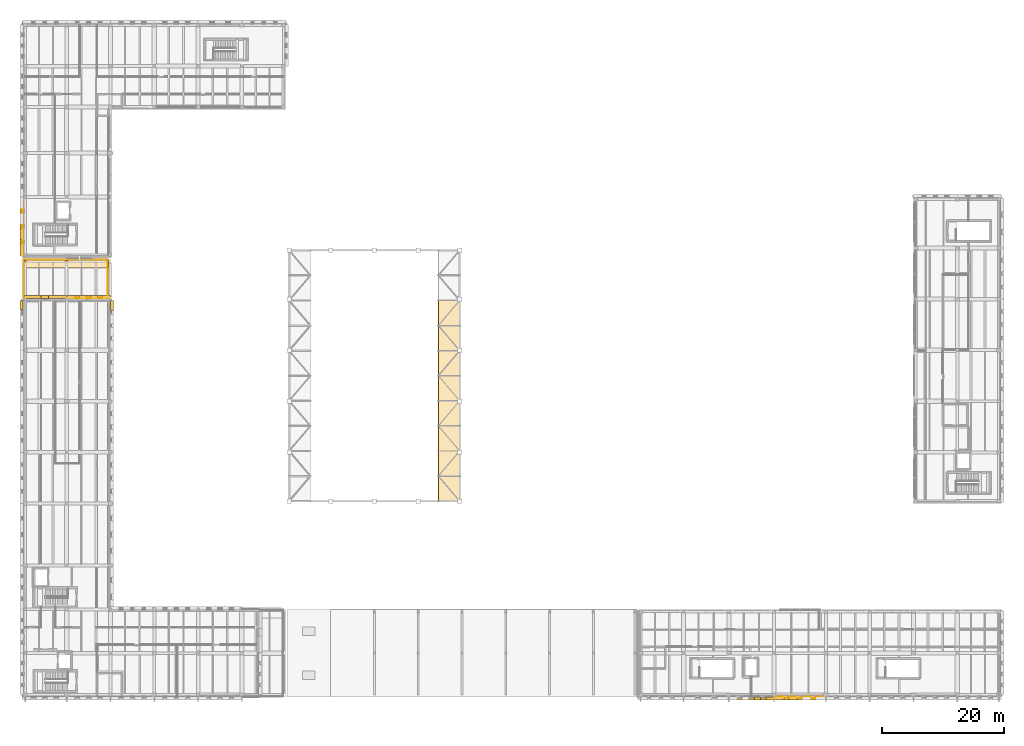
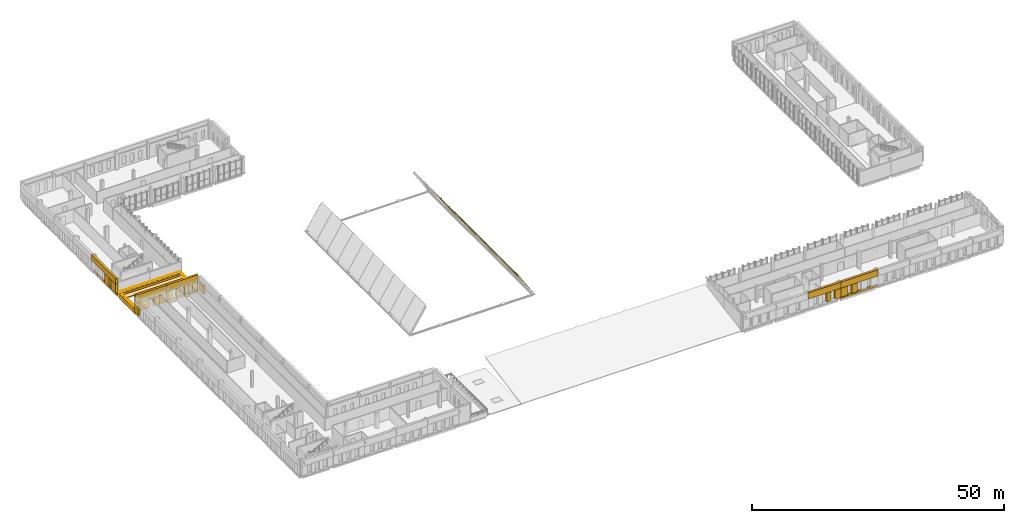
# One storey, part 51 of 56: 33 coverings, 1 railing.
"""IFC4 building model written with IfcOpenShell, lengths in metres."""

from ifc_helpers import new_model, si_unit, direction, frame, origin, origin_2d, place, context, subcontext, project, spatial, polyline, circle, outline, extrude, material, layer, layer_set, type_object, element, save


model = new_model("IFC4")

# Units and contexts
model_context = context("Model", 3, precision=1e-05, world=origin(), true_north=direction((0.0, 1.0)))
body_context = subcontext(model_context, "Body", "Model", "MODEL_VIEW")
ifc_project = project(units=[si_unit("LENGTHUNIT", "METRE"), si_unit("AREAUNIT", "SQUARE_METRE"), si_unit("VOLUMEUNIT", "CUBIC_METRE"), si_unit("PLANEANGLEUNIT", "RADIAN"), si_unit("MASSUNIT", "GRAM", prefix="KILO")], contexts=[model_context])

# Site, building, storey
site_placement = place(None, origin())
site = spatial("IfcSite", under=ifc_project, at=site_placement, CompositionType="ELEMENT")
building_placement = place(site_placement, origin())
building = spatial("IfcBuilding", under=site, at=building_placement, Name="Vardoun Plaza Health Centre", CompositionType="ELEMENT")
storey_placement = place(building_placement, frame((0.0, 0.0, 8.699951171875)))
storey = spatial("IfcBuildingStorey", under=building, at=storey_placement, Name="L02", CompositionType="ELEMENT", Elevation=8.699951171875)

# Coverings
ifc_material_1 = material(Name="Pale Limestone Concrete C35/45", Category="masonry")
ifc_layer_1 = layer(ifc_material_1, 0.080078125)
ifc_layer_set_1 = layer_set([ifc_layer_1], Name="Pale Limestone Concrete C35/45")
covering_type_1 = type_object("IfcCoveringType", Name="CL-EXT1", PredefinedType="CLADDING", material=ifc_layer_set_1)
covering_1_placement = place(storey_placement, frame((0.0, 0.0, 2.2099609375)))
element("IfcCovering", 1, at=covering_1_placement, inside=storey, type_object=covering_type_1, Name="V2 L02 Sculpted Concrete Eyebrow Hood 169", PredefinedType="CLADDING", context=body_context, shape_type="SweptSolid", body=[
    extrude(outline(polyline([(4.52001953125, 70.0), (11.679931640625, 70.0), (11.679931640625, 70.47998046875), (4.52001953125, 70.47998046875), (4.52001953125, 70.0)])), origin(), (0.0, 0.0, 1.0), 1.989990234375),
])
covering_2_placement = place(storey_placement, frame((0.0, 0.0, 0.18994140625)))
element("IfcCovering", 2, at=covering_2_placement, inside=storey, type_object=covering_type_1, Name="V2 L02 Deep-Punched Slot Concrete Reveal Pier 170", PredefinedType="CLADDING", context=body_context, shape_type="SweptSolid", body=[
    extrude(outline(polyline([(4.52001953125, 70.0), (7.5048828125, 70.0), (7.5048828125, 70.47998046875), (4.52001953125, 70.47998046875), (4.52001953125, 70.0)])), origin(), (0.0, 0.0, 1.0), 2.02001953125),
])
covering_3_placement = place(storey_placement, frame((0.0, 0.0, 0.18994140625)))
element("IfcCovering", 3, at=covering_3_placement, inside=storey, type_object=covering_type_1, Name="V2 L02 Deep-Punched Slot Concrete Reveal Pier 171", PredefinedType="CLADDING", context=body_context, shape_type="SweptSolid", body=[
    extrude(outline(polyline([(8.695068359375, 70.0), (11.679931640625, 70.0), (11.679931640625, 70.47998046875), (8.695068359375, 70.47998046875), (8.695068359375, 70.0)])), origin(), (0.0, 0.0, 1.0), 2.02001953125),
])
covering_4_placement = place(storey_placement, origin())
element("IfcCovering", 4, at=covering_4_placement, inside=storey, type_object=covering_type_1, Name="V2 L02 Pale Concrete Sill Band 172", PredefinedType="CLADDING", context=body_context, shape_type="SweptSolid", body=[
    extrude(outline(polyline([(11.719970703125, 70.0), (18.8798828125, 70.0), (18.8798828125, 70.139892578125), (11.719970703125, 70.139892578125), (11.719970703125, 70.0)])), origin(), (0.0, 0.0, 1.0), 0.550048828125),
])
covering_5_placement = place(storey_placement, frame((0.0, 0.0, 2.590087890625)))
element("IfcCovering", 5, at=covering_5_placement, inside=storey, type_object=covering_type_1, Name="V2 L02 Sculpted Concrete Eyebrow Hood 173", PredefinedType="CLADDING", context=body_context, shape_type="SweptSolid", body=[
    extrude(outline(polyline([(11.719970703125, 70.0), (18.8798828125, 70.0), (18.8798828125, 70.47998046875), (11.719970703125, 70.47998046875), (11.719970703125, 70.0)])), origin(), (0.0, 0.0, 1.0), 1.60986328125),
])
covering_6_placement = place(storey_placement, frame((0.0, 0.0, 0.550048828125)))
element("IfcCovering", 6, at=covering_6_placement, inside=storey, type_object=covering_type_1, Name="V2 L02 Deep-Punched Slot Concrete Reveal Pier 174", PredefinedType="CLADDING", context=body_context, shape_type="SweptSolid", body=[
    extrude(outline(polyline([(11.719970703125, 70.0), (13.0380859375, 70.0), (13.0380859375, 70.47998046875), (11.719970703125, 70.47998046875), (11.719970703125, 70.0)])), origin(), (0.0, 0.0, 1.0), 2.0400390625),
])
covering_7_placement = place(storey_placement, frame((0.0, 0.0, 0.550048828125)))
element("IfcCovering", 7, at=covering_7_placement, inside=storey, type_object=covering_type_1, Name="V2 L02 Deep-Punched Slot Concrete Reveal Pier 175", PredefinedType="CLADDING", context=body_context, shape_type="SweptSolid", body=[
    extrude(outline(polyline([(13.818115234375, 70.0), (14.909912109375, 70.0), (14.909912109375, 70.47998046875), (13.818115234375, 70.47998046875), (13.818115234375, 70.0)])), origin(), (0.0, 0.0, 1.0), 2.0400390625),
])
covering_8_placement = place(storey_placement, frame((0.0, 0.0, 0.550048828125)))
element("IfcCovering", 8, at=covering_8_placement, inside=storey, type_object=covering_type_1, Name="V2 L02 Deep-Punched Slot Concrete Reveal Pier 176", PredefinedType="CLADDING", context=body_context, shape_type="SweptSolid", body=[
    extrude(outline(polyline([(15.68994140625, 70.0), (16.781982421875, 70.0), (16.781982421875, 70.47998046875), (15.68994140625, 70.47998046875), (15.68994140625, 70.0)])), origin(), (0.0, 0.0, 1.0), 2.0400390625),
])
covering_9_placement = place(storey_placement, frame((0.0, 0.0, 0.550048828125)))
element("IfcCovering", 9, at=covering_9_placement, inside=storey, type_object=covering_type_1, Name="V2 L02 Deep-Punched Slot Concrete Reveal Pier 177", PredefinedType="CLADDING", context=body_context, shape_type="SweptSolid", body=[
    extrude(outline(polyline([(17.56201171875, 70.0), (18.8798828125, 70.0), (18.8798828125, 70.47998046875), (17.56201171875, 70.47998046875), (17.56201171875, 70.0)])), origin(), (0.0, 0.0, 1.0), 2.0400390625),
])
covering_10_placement = place(storey_placement, frame((0.0, 0.0, 0.550048828125)))
element("IfcCovering", 10, at=covering_10_placement, inside=storey, type_object=covering_type_1, Name="V2 L02 Deep-Punched Slot Concrete Reveal Pier 180", PredefinedType="CLADDING", context=body_context, shape_type="SweptSolid", body=[
    extrude(outline(polyline([(18.89990234375, 69.635009765625), (18.89990234375, 68.042724609375), (19.3798828125, 68.042724609375), (19.3798828125, 69.635009765625), (18.89990234375, 69.635009765625)])), origin(), (0.0, 0.0, 1.0), 2.139892578125),
])
covering_11_placement = place(storey_placement, frame((0.0, 0.0, 0.550048828125)))
element("IfcCovering", 11, at=covering_11_placement, inside=storey, type_object=covering_type_1, Name="V2 L02 Deep-Punched Slot Concrete Reveal Pier 319", PredefinedType="CLADDING", context=body_context, shape_type="SweptSolid", body=[
    extrude(outline(polyline([(4.5, 68.15771484375), (4.5, 69.635009765625), (4.02001953125, 69.635009765625), (4.02001953125, 68.15771484375), (4.5, 68.15771484375)])), origin(), (0.0, 0.0, 1.0), 2.1201171875),
])
covering_12_placement = place(storey_placement, origin())
element("IfcCovering", 12, at=covering_12_placement, inside=storey, type_object=covering_type_1, Name="V3 L02 Pale Concrete Sill Band 879", PredefinedType="CLADDING", context=body_context, shape_type="SweptSolid", body=[
    extrude(outline(polyline([(4.5, 77.014892578125), (4.5, 86.679931640625), (4.360107421875, 86.679931640625), (4.360107421875, 77.014892578125), (4.5, 77.014892578125)])), origin(), (0.0, 0.0, 1.0), 0.550048828125),
])
covering_13_placement = place(storey_placement, frame((0.0, 0.0, 2.800048828125)))
element("IfcCovering", 13, at=covering_13_placement, inside=storey, type_object=covering_type_1, Name="V3 L02 Sculpted Concrete Eyebrow Hood 880", PredefinedType="CLADDING", context=body_context, shape_type="SweptSolid", body=[
    extrude(outline(polyline([(4.5, 77.014892578125), (4.5, 86.679931640625), (4.02001953125, 86.679931640625), (4.02001953125, 77.014892578125), (4.5, 77.014892578125)])), origin(), (0.0, 0.0, 1.0), 1.39990234375),
])
covering_14_placement = place(storey_placement, frame((0.0, 0.0, 0.550048828125)))
element("IfcCovering", 14, at=covering_14_placement, inside=storey, type_object=covering_type_1, Name="V3 L02 Deep-Punched Slot Concrete Reveal Pier 881", PredefinedType="CLADDING", context=body_context, shape_type="SweptSolid", body=[
    extrude(outline(polyline([(4.5, 77.014892578125), (4.5, 78.93408203125), (4.02001953125, 78.93408203125), (4.02001953125, 77.014892578125), (4.5, 77.014892578125)])), origin(), (0.0, 0.0, 1.0), 2.25),
])
covering_15_placement = place(storey_placement, frame((0.0, 0.0, 0.550048828125)))
element("IfcCovering", 15, at=covering_15_placement, inside=storey, type_object=covering_type_1, Name="V3 L02 Deep-Punched Slot Concrete Reveal Pier 882", PredefinedType="CLADDING", context=body_context, shape_type="SweptSolid", body=[
    extrude(outline(polyline([(4.5, 79.714111328125), (4.5, 81.45751953125), (4.02001953125, 81.45751953125), (4.02001953125, 79.714111328125), (4.5, 79.714111328125)])), origin(), (0.0, 0.0, 1.0), 2.25),
])
covering_16_placement = place(storey_placement, origin())
element("IfcCovering", 16, at=covering_16_placement, inside=storey, type_object=covering_type_1, Name="V5 L02 Pale Concrete Sill Band 1218", PredefinedType="CLADDING", context=body_context, shape_type="SweptSolid", body=[
    extrude(outline(polyline([(136.47998046875, 4.5), (128.0, 4.5), (128.0, 4.360107421875), (136.47998046875, 4.360107421875), (136.47998046875, 4.5)])), origin(), (0.0, 0.0, 1.0), 0.550048828125),
])
covering_17_placement = place(storey_placement, frame((0.0, 0.0, 2.75)))
element("IfcCovering", 17, at=covering_17_placement, inside=storey, type_object=covering_type_1, Name="V5 L02 Sculpted Concrete Eyebrow Hood 1219", PredefinedType="CLADDING", context=body_context, shape_type="SweptSolid", body=[
    extrude(outline(polyline([(136.47998046875, 4.5), (128.0, 4.5), (128.0, 4.02001953125), (136.47998046875, 4.02001953125), (136.47998046875, 4.5)])), origin(), (0.0, 0.0, 1.0), 1.449951171875),
])
covering_18_placement = place(storey_placement, frame((0.0, 0.0, 0.550048828125)))
element("IfcCovering", 18, at=covering_18_placement, inside=storey, type_object=covering_type_1, Name="V5 L02 Deep-Punched Slot Concrete Reveal Pier 1222", PredefinedType="CLADDING", context=body_context, shape_type="SweptSolid", body=[
    extrude(outline(polyline([(131.7900390625, 4.5), (130.474853515625, 4.5), (130.474853515625, 4.02001953125), (131.7900390625, 4.02001953125), (131.7900390625, 4.5)])), origin(), (0.0, 0.0, 1.0), 2.199951171875),
])
covering_19_placement = place(storey_placement, frame((0.0, 0.0, 0.550048828125)))
element("IfcCovering", 19, at=covering_19_placement, inside=storey, type_object=covering_type_1, Name="V5 L02 Deep-Punched Slot Concrete Reveal Pier 1223", PredefinedType="CLADDING", context=body_context, shape_type="SweptSolid", body=[
    extrude(outline(polyline([(129.57470703125, 4.5), (128.0, 4.5), (128.0, 4.02001953125), (129.57470703125, 4.02001953125), (129.57470703125, 4.5)])), origin(), (0.0, 0.0, 1.0), 2.199951171875),
])
covering_20_placement = place(storey_placement, frame((0.0, 0.0, 2.72998046875)))
element("IfcCovering", 20, at=covering_20_placement, inside=storey, type_object=covering_type_1, Name="V5 L02 Sculpted Concrete Eyebrow Hood 1225", PredefinedType="CLADDING", context=body_context, shape_type="SweptSolid", body=[
    extrude(outline(polyline([(127.9599609375, 4.5), (120.56005859375, 4.5), (120.56005859375, 4.02001953125), (127.9599609375, 4.02001953125), (127.9599609375, 4.5)])), origin(), (0.0, 0.0, 1.0), 1.469970703125),
])
covering_21_placement = place(storey_placement, frame((0.0, 0.0, 0.550048828125)))
element("IfcCovering", 21, at=covering_21_placement, inside=storey, type_object=covering_type_1, Name="V5 L02 Deep-Punched Slot Concrete Reveal Pier 1226", PredefinedType="CLADDING", context=body_context, shape_type="SweptSolid", body=[
    extrude(outline(polyline([(127.9599609375, 4.5), (126.664306640625, 4.5), (126.664306640625, 4.02001953125), (127.9599609375, 4.02001953125), (127.9599609375, 4.5)])), origin(), (0.0, 0.0, 1.0), 2.179931640625),
])
covering_22_placement = place(storey_placement, frame((0.0, 0.0, 0.550048828125)))
element("IfcCovering", 22, at=covering_22_placement, inside=storey, type_object=covering_type_1, Name="V5 L02 Deep-Punched Slot Concrete Reveal Pier 1227", PredefinedType="CLADDING", context=body_context, shape_type="SweptSolid", body=[
    extrude(outline(polyline([(125.724365234375, 4.5), (124.72998046875, 4.5), (124.72998046875, 4.02001953125), (125.724365234375, 4.02001953125), (125.724365234375, 4.5)])), origin(), (0.0, 0.0, 1.0), 2.179931640625),
])
covering_23_placement = place(storey_placement, frame((0.0, 0.0, -0.280029296875)))
element("IfcCovering", 23, at=covering_23_placement, inside=storey, type_object=covering_type_1, Name="V2 L02 Sculpted White Terrace Planter Ribbon W1", PredefinedType="CLADDING", context=body_context, shape_type="SweptSolid", body=[
    extrude(outline(polyline([(4.419921875, 70.050048828125), (4.780029296875, 70.050048828125), (4.780029296875, 76.449951171875), (4.419921875, 76.449951171875), (4.419921875, 70.050048828125)])), origin(), (0.0, 0.0, 1.0), 1.090087890625),
])
covering_24_placement = place(storey_placement, frame((0.0, 0.0, -0.280029296875)))
element("IfcCovering", 24, at=covering_24_placement, inside=storey, type_object=covering_type_1, Name="V2 L02 Sculpted White Terrace Planter Ribbon N1", PredefinedType="CLADDING", context=body_context, shape_type="SweptSolid", body=[
    extrude(outline(polyline([(4.780029296875, 76.179931640625), (18.39990234375, 76.179931640625), (18.39990234375, 76.56005859375), (4.780029296875, 76.56005859375), (4.780029296875, 76.179931640625)])), origin(), (0.0, 0.0, 1.0), 1.090087890625),
])
ifc_material_2 = material(Name="Planted Mediterranean Garden Substrate", Category="wood")
ifc_layer_2 = layer(ifc_material_2, 0.139892578125)
ifc_layer_set_2 = layer_set([ifc_layer_2], Name="Planted Mediterranean Garden Substrate")
covering_type_2 = type_object("IfcCoveringType", Name="CV-G1", PredefinedType="ROOFING", material=ifc_layer_set_2)
covering_25_placement = place(storey_placement, frame((0.0, 0.0, 0.18994140625)))
element("IfcCovering", 25, at=covering_25_placement, inside=storey, type_object=covering_type_2, Name="V2 L02 Garden Planter Bed 1", PredefinedType="ROOFING", context=body_context, shape_type="SweptSolid", body=[
    extrude(outline(polyline([(4.75, 75.050048828125), (18.64990234375, 75.050048828125), (18.64990234375, 76.25), (4.75, 76.25), (4.75, 75.050048828125)])), origin(), (0.0, 0.0, 1.0), 0.14013671875),
])
ifc_material_3 = material(Name="EPDM Insulated Roof Membrane", Category="concrete")
ifc_layer_3 = layer(ifc_material_3, 0.044921875)
ifc_layer_set_3 = layer_set([ifc_layer_3], Name="EPDM Insulated Roof Membrane")
covering_type_3 = type_object("IfcCoveringType", Name="CV-M1", PredefinedType="ROOFING", material=ifc_layer_set_3)
for number, where, z_axis, x_axis, name in (
    (26, (72.794921875, 36.679931640625, 5.592529296875), (0.843855335008, 0.0, 0.536570753563), (0.536570753563, 0.0, -0.843855335008), "Gridshell Vault Cladding 1.8"),
    (27, (72.794921875, 40.803955078125, 5.592529296875), (0.843855335008, 0.0, 0.536570753563), (0.536570753563, 0.0, -0.843855335008), "Gridshell Vault Cladding 2.8"),
    (28, (72.794921875, 44.927978515625, 5.592529296875), (0.843855335008, 0.0, 0.536570753563), (0.536570753563, 0.0, -0.843855335008), "Gridshell Vault Cladding 3.8"),
    (29, (72.794921875, 49.052001953125, 5.592529296875), (0.843855335008, 0.0, 0.536570753563), (0.536570753563, 0.0, -0.843855335008), "Gridshell Vault Cladding 4.8"),
    (30, (72.794921875, 53.176025390625, 5.592529296875), (0.843855335008, 0.0, 0.536570753563), (0.536570753563, 0.0, -0.843855335008), "Gridshell Vault Cladding 5.8"),
    (31, (72.794921875, 57.300048828125, 5.592529296875), (0.843855335008, 0.0, 0.536570753563), (0.536570753563, 0.0, -0.843855335008), "Gridshell Vault Cladding 6.8"),
    (32, (72.794921875, 61.424072265625, 5.592529296875), (0.843855335008, 0.0, 0.536570753563), (0.536570753563, 0.0, -0.843855335008), "Gridshell Vault Cladding 7.8"),
    (33, (72.794921875, 65.548095703125, 5.592529296875), (0.843855335008, 0.0, 0.536570753563), (0.536570753563, 0.0, -0.843855335008), "Gridshell Vault Cladding 8.8"),
):
    element("IfcCovering", number, at=place(storey_placement, frame(where, z_axis=z_axis, x_axis=x_axis)), inside=storey, type_object=covering_type_3, Name=name, PredefinedType="ROOFING", context=body_context, shape_type="SweptSolid", body=[
        extrude(outline(polyline([(0.0, 0.0), (6.532459940928027, 0.0), (6.532459940928027, 4.1240234375), (0.0, 4.1240234375), (0.0, 0.0)])), origin(), (0.0, 0.0, -1.0), 0.044921875),
    ])

# Railing
ifc_material_4 = material(Name="Galvanised Steel S275JR and Laminated Glass", Category="steel")
railing_type = type_object("IfcRailingType", Name="GR-01", PredefinedType="BALUSTRADE", material=ifc_material_4)
railing_placement = place(storey_placement, frame((4.6201171875, 70.1201171875, 0.18994140625)))
element("IfcRailing", 34, at=railing_placement, inside=storey, type_object=railing_type, Name="V2 L02 Terrace Balustrade 1", PredefinedType="BALUSTRADE", context=body_context, shape_type="SweptSolid", body=[
    extrude(circle(Radius=0.02392578125, at=origin_2d()), frame((0.0, 0.0, 1.1259765625), z_axis=(0.0, 1.0, 0.0), x_axis=(-1.0, 0.0, 0.0)), (0.0, 0.0, 1.0), 6.259765625),
    extrude(circle(Radius=0.02392578125, at=origin_2d()), frame((0.0, 6.259765625, 1.1259765625), z_axis=(1.0, 0.0, 0.0), x_axis=(0.0, 1.0, 0.0)), (0.0, 0.0, 1.0), 13.829833984375),
    extrude(circle(Radius=0.02392578125, at=origin_2d()), frame((13.829833984375, 6.259765625, 1.1259765625), z_axis=(0.0, -1.0, 0.0), x_axis=(1.0, 0.0, 0.0)), (0.0, 0.0, 1.0), 6.259765625),
    extrude(circle(Radius=0.02099609375, at=origin_2d()), origin(), (0.0, 0.0, 1.0), 1.101806640625),
    extrude(circle(Radius=0.02099609375, at=origin_2d()), frame((0.0, 1.043212890625, 0.0)), (0.0, 0.0, 1.0), 1.101806640625),
    extrude(circle(Radius=0.02099609375, at=origin_2d()), frame((0.0, 2.086669921875, 0.0)), (0.0, 0.0, 1.0), 1.101806640625),
    extrude(circle(Radius=0.02099609375, at=origin_2d()), frame((0.0, 3.1298828125, 0.0)), (0.0, 0.0, 1.0), 1.101806640625),
    extrude(circle(Radius=0.02099609375, at=origin_2d()), frame((0.0, 4.173095703125, 0.0)), (0.0, 0.0, 1.0), 1.101806640625),
    extrude(circle(Radius=0.02099609375, at=origin_2d()), frame((0.0, 5.216552734375, 0.0)), (0.0, 0.0, 1.0), 1.101806640625),
    extrude(circle(Radius=0.02099609375, at=origin_2d()), frame((0.0, 6.259765625, 0.0)), (0.0, 0.0, 1.0), 1.101806640625),
    extrude(circle(Radius=0.02099609375, at=origin_2d()), frame((1.152587890625, 6.259765625, 0.0)), (0.0, 0.0, 1.0), 1.101806640625),
    extrude(circle(Radius=0.02099609375, at=origin_2d()), frame((2.304931640625, 6.259765625, 0.0)), (0.0, 0.0, 1.0), 1.101806640625),
    extrude(circle(Radius=0.02099609375, at=origin_2d()), frame((3.45751953125, 6.259765625, 0.0)), (0.0, 0.0, 1.0), 1.101806640625),
    extrude(circle(Radius=0.02099609375, at=origin_2d()), frame((4.60986328125, 6.259765625, 0.0)), (0.0, 0.0, 1.0), 1.101806640625),
    extrude(circle(Radius=0.02099609375, at=origin_2d()), frame((5.762451171875, 6.259765625, 0.0)), (0.0, 0.0, 1.0), 1.101806640625),
    extrude(circle(Radius=0.02099609375, at=origin_2d()), frame((6.9150390625, 6.259765625, 0.0)), (0.0, 0.0, 1.0), 1.101806640625),
    extrude(circle(Radius=0.02099609375, at=origin_2d()), frame((8.0673828125, 6.259765625, 0.0)), (0.0, 0.0, 1.0), 1.101806640625),
    extrude(circle(Radius=0.02099609375, at=origin_2d()), frame((9.219970703125, 6.259765625, 0.0)), (0.0, 0.0, 1.0), 1.101806640625),
    extrude(circle(Radius=0.02099609375, at=origin_2d()), frame((10.372314453125, 6.259765625, 0.0)), (0.0, 0.0, 1.0), 1.101806640625),
    extrude(circle(Radius=0.02099609375, at=origin_2d()), frame((11.52490234375, 6.259765625, 0.0)), (0.0, 0.0, 1.0), 1.101806640625),
    extrude(circle(Radius=0.02099609375, at=origin_2d()), frame((12.67724609375, 6.259765625, 0.0)), (0.0, 0.0, 1.0), 1.101806640625),
    extrude(circle(Radius=0.02099609375, at=origin_2d()), frame((13.829833984375, 6.259765625, 0.0)), (0.0, 0.0, 1.0), 1.101806640625),
    extrude(circle(Radius=0.02099609375, at=origin_2d()), frame((13.829833984375, 5.216552734375, 0.0)), (0.0, 0.0, 1.0), 1.101806640625),
    extrude(circle(Radius=0.02099609375, at=origin_2d()), frame((13.829833984375, 4.173095703125, 0.0)), (0.0, 0.0, 1.0), 1.101806640625),
    extrude(circle(Radius=0.02099609375, at=origin_2d()), frame((13.829833984375, 3.1298828125, 0.0)), (0.0, 0.0, 1.0), 1.101806640625),
    extrude(circle(Radius=0.02099609375, at=origin_2d()), frame((13.829833984375, 2.086669921875, 0.0)), (0.0, 0.0, 1.0), 1.101806640625),
    extrude(circle(Radius=0.02099609375, at=origin_2d()), frame((13.829833984375, 1.043212890625, 0.0)), (0.0, 0.0, 1.0), 1.101806640625),
    extrude(circle(Radius=0.02099609375, at=origin_2d()), frame((13.829833984375, 0.0, 0.0)), (0.0, 0.0, 1.0), 1.101806640625),
])

save(model, "model.ifc")
